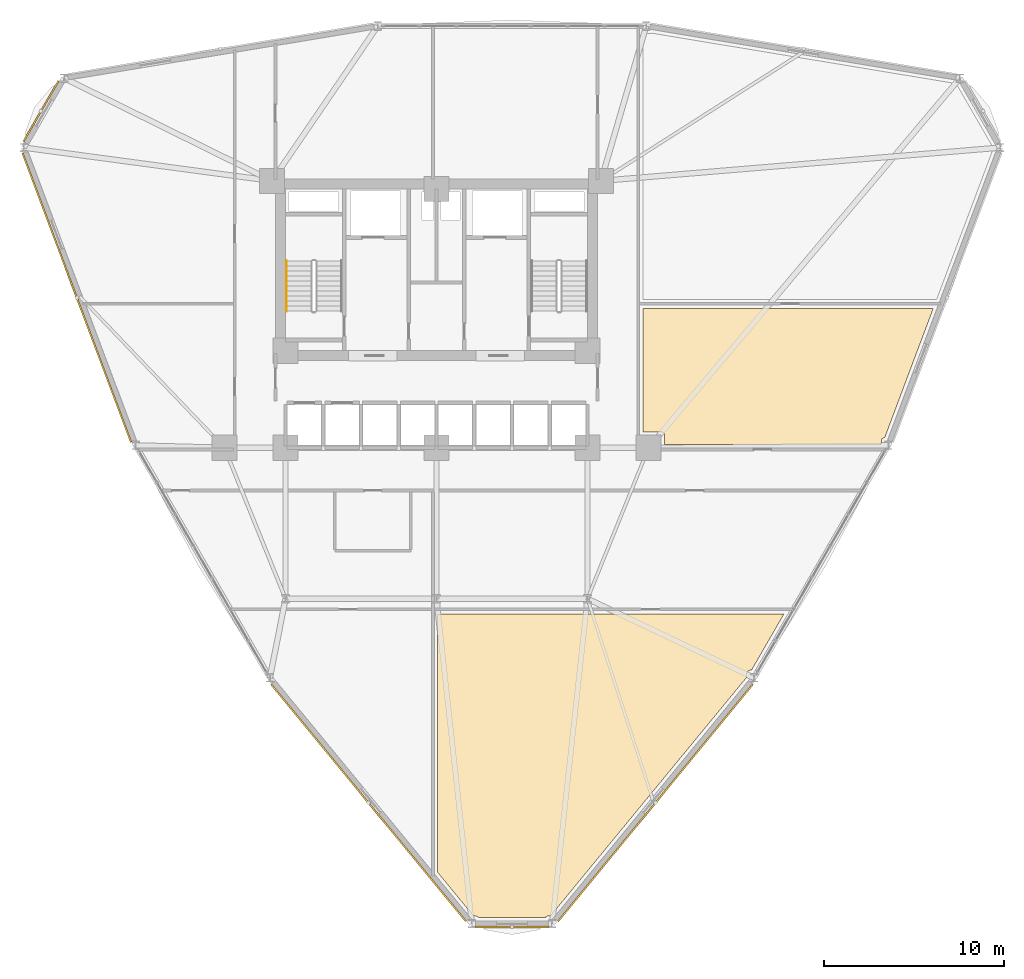
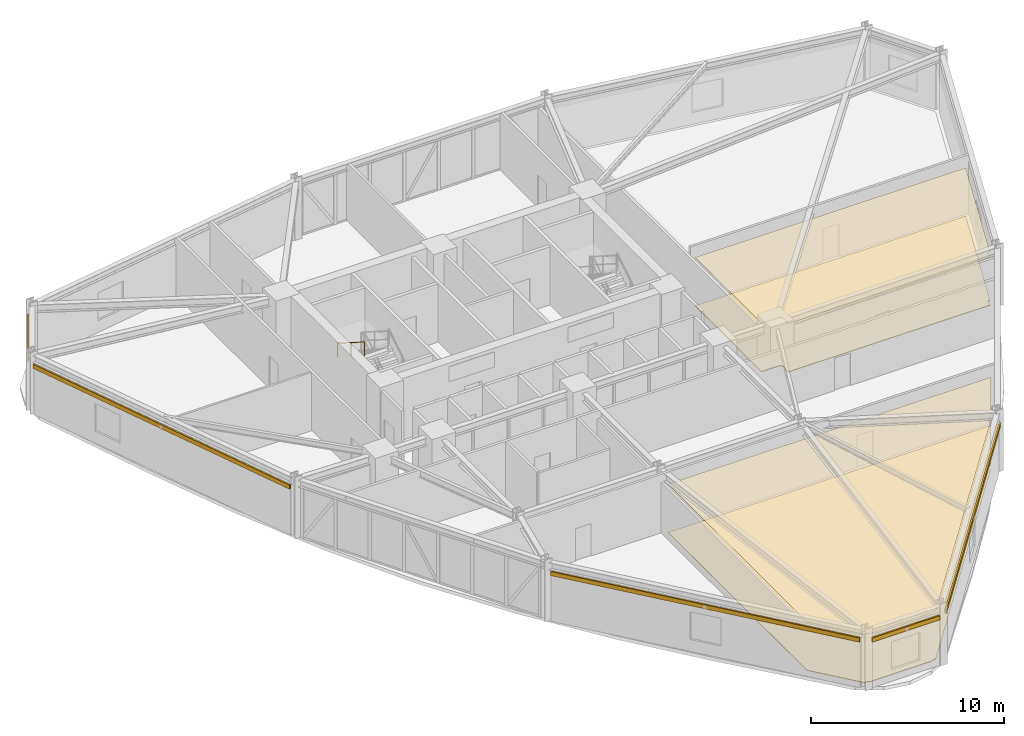
# One storey, part 18 of 20: 5 shading devices, 4 coverings, 1 railing.
"""IFC4 building model written with IfcOpenShell, lengths in metres."""

from ifc_helpers import new_model, si_unit, derived_unit, direction, frame, origin, origin_2d, place, context, subcontext, project, spatial, polyline, hollow_rectangle, circle, outline, extrude, source, transform, mapped, material, layer, layer_set, material_profile, profile_set, type_object, element, save


model = new_model("IFC4")

# Units and contexts
model_context = context("Model", 3, precision=1e-05, world=origin(), true_north=direction((0.0, 1.0)))
body_context = subcontext(model_context, "Body", "Model", "MODEL_VIEW")
ifc_project = project(units=[si_unit("LENGTHUNIT", "METRE"), si_unit("AREAUNIT", "SQUARE_METRE"), si_unit("VOLUMEUNIT", "CUBIC_METRE"), si_unit("PLANEANGLEUNIT", "RADIAN"), si_unit("MASSUNIT", "GRAM", prefix="KILO"), derived_unit("THERMALTRANSMITTANCEUNIT", [(si_unit("POWERUNIT", "WATT"), 1), (si_unit("LENGTHUNIT", "METRE"), -2), (si_unit("THERMODYNAMICTEMPERATUREUNIT", "KELVIN"), -1)])], contexts=[model_context])

# Site, building, storey
site_placement = place(None, origin())
site = spatial("IfcSite", under=ifc_project, at=site_placement, CompositionType="ELEMENT")
building_placement = place(site_placement, origin())
building = spatial("IfcBuilding", under=site, at=building_placement, Name="Korsvarv Bourse and Concert Hall", CompositionType="ELEMENT")
storey_placement = place(building_placement, frame((0.0, 0.0, 79.5)))
storey = spatial("IfcBuildingStorey", under=building, at=storey_placement, Name="L19", CompositionType="ELEMENT", Elevation=79.5)

# Coverings
ifc_material_1 = material(Name="Perforated mineral-wool and birch acoustic baffle ceiling", Category="wood")
ifc_layer_1 = layer(ifc_material_1, 0.02490234375)
ifc_layer_set_1 = layer_set([ifc_layer_1], Name="Perforated mineral-wool and birch acoustic baffle ceiling")
covering_type_1 = type_object("IfcCoveringType", Name="COV-CEIL-1", PredefinedType="CEILING", material=ifc_layer_set_1)
covering_1_placement = place(storey_placement, frame((0.0, 0.0, 3.06005859375)))
element("IfcCovering", 1, at=covering_1_placement, inside=storey, type_object=covering_type_1, Name="L19 acoustic baffle ceiling 2", PredefinedType="CEILING", context=body_context, shape_type="SweptSolid", body=[
    extrude(outline(polyline([(55.32958984375, 23.14990234375), (53.525634765625, 20.025146484375), (53.459716796875, 20.025146484375), (53.42529296875, 20.021728515625), (53.392333984375, 20.011962890625), (53.36181640625, 19.99609375), (53.334716796875, 19.974853515625), (53.312255859375, 19.948486328125), (53.29541015625, 19.918701171875), (53.2841796875, 19.885986328125), (53.27978515625, 19.851806640625), (53.27197265625, 19.6474609375), (42.344970703125, 6.352783203125), (42.22216796875, 6.352783203125), (42.1875, 6.349365234375), (42.154052734375, 6.33935546875), (42.123291015625, 6.322998046875), (42.095947265625, 6.30126953125), (42.073486328125, 6.2744140625), (38.335205078125, 6.265869140625), (38.318115234375, 6.287109375), (38.2919921875, 6.3095703125), (38.262451171875, 6.32666015625), (38.22998046875, 6.337890625), (38.196044921875, 6.342529296875), (38.05810546875, 6.348876953125), (36.050048828125, 8.792236328125), (36.050048828125, 23.14990234375), (55.32958984375, 23.14990234375)])), origin(), (0.0, 0.0, 1.0), 0.02490234375),
])
covering_2_placement = place(storey_placement, frame((0.0, 0.0, 3.06005859375)))
element("IfcCovering", 2, at=covering_2_placement, inside=storey, type_object=covering_type_1, Name="L19 acoustic baffle ceiling 3", PredefinedType="CEILING", context=body_context, shape_type="SweptSolid", body=[
    extrude(outline(polyline([(48.68994140625, 32.570068359375), (48.68994140625, 33.10009765625), (48.6865234375, 33.135009765625), (48.676513671875, 33.16845703125), (48.659912109375, 33.199462890625), (48.6376953125, 33.226806640625), (48.61083984375, 33.2490234375), (48.579833984375, 33.265869140625), (48.54638671875, 33.2763671875), (48.511474609375, 33.280029296875), (47.47998046875, 33.28857421875), (47.47998046875, 40.14990234375), (63.63720703125, 40.14990234375), (60.9375, 32.961181640625), (60.910888671875, 32.96044921875), (60.877197265625, 32.953857421875), (60.844970703125, 32.94091796875), (60.816162109375, 32.921875), (60.791259765625, 32.89794921875), (60.771484375, 32.869384765625), (60.757568359375, 32.837890625), (60.749755859375, 32.80419921875), (60.741455078125, 32.5693359375), (48.68994140625, 32.570068359375)])), origin(), (0.0, 0.0, 1.0), 0.02490234375),
])
ifc_material_2 = material(Name="Calcium-sulphate raised access trading floor with Nordic oak top", Category="wood")
ifc_layer_2 = layer(ifc_material_2, 0.0400390625)
ifc_layer_set_2 = layer_set([ifc_layer_2], Name="Calcium-sulphate raised access trading floor with Nordic oak top")
covering_type_2 = type_object("IfcCoveringType", Name="COV-FLOR-1", PredefinedType="FLOORING", material=ifc_layer_set_2)
covering_3_placement = place(storey_placement, origin())
element("IfcCovering", 3, at=covering_3_placement, inside=storey, type_object=covering_type_2, Name="L19 raised access oak floor finish 2", PredefinedType="FLOORING", context=body_context, shape_type="SweptSolid", body=[
    extrude(outline(polyline([(55.32958984375, 23.14990234375), (53.525634765625, 20.025146484375), (53.459716796875, 20.025146484375), (53.42529296875, 20.021728515625), (53.392333984375, 20.011962890625), (53.36181640625, 19.99609375), (53.334716796875, 19.974853515625), (53.312255859375, 19.948486328125), (53.29541015625, 19.918701171875), (53.2841796875, 19.885986328125), (53.27978515625, 19.851806640625), (53.27197265625, 19.6474609375), (42.344970703125, 6.352783203125), (42.22216796875, 6.352783203125), (42.1875, 6.349365234375), (42.154052734375, 6.33935546875), (42.123291015625, 6.322998046875), (42.095947265625, 6.30126953125), (42.073486328125, 6.2744140625), (38.335205078125, 6.265869140625), (38.318115234375, 6.287109375), (38.2919921875, 6.3095703125), (38.262451171875, 6.32666015625), (38.22998046875, 6.337890625), (38.196044921875, 6.342529296875), (38.05810546875, 6.348876953125), (36.050048828125, 8.792236328125), (36.050048828125, 23.14990234375), (55.32958984375, 23.14990234375)])), origin(), (0.0, 0.0, 1.0), 0.0400390625),
])
covering_4_placement = place(storey_placement, origin())
element("IfcCovering", 4, at=covering_4_placement, inside=storey, type_object=covering_type_2, Name="L19 raised access oak floor finish 3", PredefinedType="FLOORING", context=body_context, shape_type="SweptSolid", body=[
    extrude(outline(polyline([(48.68994140625, 32.570068359375), (48.68994140625, 33.10009765625), (48.6865234375, 33.135009765625), (48.676513671875, 33.16845703125), (48.659912109375, 33.199462890625), (48.6376953125, 33.226806640625), (48.61083984375, 33.2490234375), (48.579833984375, 33.265869140625), (48.54638671875, 33.2763671875), (48.511474609375, 33.280029296875), (47.47998046875, 33.28857421875), (47.47998046875, 40.14990234375), (63.63720703125, 40.14990234375), (60.9375, 32.961181640625), (60.910888671875, 32.96044921875), (60.877197265625, 32.953857421875), (60.844970703125, 32.94091796875), (60.816162109375, 32.921875), (60.791259765625, 32.89794921875), (60.771484375, 32.869384765625), (60.757568359375, 32.837890625), (60.749755859375, 32.80419921875), (60.741455078125, 32.5693359375), (48.68994140625, 32.570068359375)])), origin(), (0.0, 0.0, 1.0), 0.0400390625),
])

# Railing
ifc_material_3 = material(Name="Brushed stainless Steel S355 tubular handrail", Category="steel")
railing_type = type_object("IfcRailingType", Name="RL-ST-HND", PredefinedType="HANDRAIL", material=ifc_material_3)
railing_placement = place(storey_placement, frame((27.64990234375, 42.800048828125, 2.127197265625)))
element("IfcRailing", 5, at=railing_placement, inside=storey, type_object=railing_type, Name="L19 ST-T1 stair handrail 2", PredefinedType="HANDRAIL", context=body_context, shape_type="SweptSolid", body=[
    extrude(circle(Radius=0.02392578125, at=origin_2d()), frame((0.0, 0.0, 0.8759765625), z_axis=(0.0, -0.844908973607, 0.534910110503), x_axis=(1.0, 0.0, 0.0)), (0.0, 0.0, 1.0), 3.31396484375),
    extrude(circle(Radius=0.02099609375, at=origin_2d()), origin(), (0.0, 0.0, 1.0), 0.851806640625),
    extrude(circle(Radius=0.02099609375, at=origin_2d()), frame((0.0, -1.39990234375, 0.88623046875)), (0.0, 0.0, 1.0), 0.851806640625),
    extrude(circle(Radius=0.02099609375, at=origin_2d()), frame((0.0, -2.800048828125, 1.772705078125)), (0.0, 0.0, 1.0), 0.851806640625),
])

# Shading devices
ifc_material_4 = material(Name="Glazed extruded architectural terracotta", Category="ceramic")
ifc_material_profile = material_profile(ifc_material_4, hollow_rectangle(XDim=0.090087890625, YDim=0.260009765625, WallThickness=0.011962890625, at=origin_2d()), Name="TC-BAG 90x260")
ifc_profile_set = profile_set([ifc_material_profile], Name="Glazed extruded architectural terracotta")
shading_device_type = type_object("IfcShadingDeviceType", Name="SHD-BAG-1", PredefinedType="USERDEFINED", material=ifc_profile_set)
shared_shape_1 = source(origin(), body_context, "Body", "SweptSolid", [
    extrude(hollow_rectangle(XDim=0.090087890625, YDim=0.260009765625, WallThickness=0.011962890625, at=origin_2d()), origin(), (0.0, 0.0, 1.0), 3.90966796875),
])
shading_device_1_placement = place(storey_placement, frame((14.97216796875, 52.822509765625, 3.070068359375), z_axis=(-0.500014353419, -0.866017116675, 0.0), x_axis=(0.866017116675, -0.500014353419, 0.0)))
element("IfcShadingDevice", 6, at=shading_device_1_placement, inside=storey, type_object=shading_device_type, Name="L19 terracotta baguette sunshade EW-L19-B05", ObjectType="BAGUETTE", PredefinedType="USERDEFINED", context=body_context, shape_type="MappedRepresentation", body=[
    mapped(shared_shape_1, transform((0.0, 0.0, 0.0), scale=1.0)),
])
shared_shape_2 = source(origin(), body_context, "Body", "SweptSolid", [
    extrude(hollow_rectangle(XDim=0.090087890625, YDim=0.260009765625, WallThickness=0.011962890625, at=origin_2d()), origin(), (0.0, 0.0, 1.0), 17.1806640625),
])
shading_device_2_placement = place(storey_placement, frame((12.96484375, 48.798583984375, 3.070068359375), z_axis=(0.351559441404, -0.936165561832, 0.0), x_axis=(0.936165561832, 0.351559441404, 0.0)))
element("IfcShadingDevice", 7, at=shading_device_2_placement, inside=storey, type_object=shading_device_type, Name="L19 terracotta baguette sunshade EW-L19-B06", ObjectType="BAGUETTE", PredefinedType="USERDEFINED", context=body_context, shape_type="MappedRepresentation", body=[
    mapped(shared_shape_2, transform((0.0, 0.0, 0.0), scale=1.0)),
])
shared_shape_3 = source(origin(), body_context, "Body", "SweptSolid", [
    extrude(hollow_rectangle(XDim=0.090087890625, YDim=0.260009765625, WallThickness=0.011962890625, at=origin_2d()), origin(), (0.0, 0.0, 1.0), 17.0712890625),
])
for number, where, z_axis, x_axis, name in (
    (8, (26.7919921875, 19.2451171875, 3.070068359375), (0.634956540438, -0.772547857259, 0.0), (0.772547857259, 0.634956540438, 0.0), "L19 terracotta baguette sunshade EW-L19-B08"),
    (9, (42.768310546875, 6.056640625, 3.070068359375), (0.634956540438, 0.772547857259, 0.0), (-0.772547857259, 0.634956540438, 0.0), "L19 terracotta baguette sunshade EW-L19-B10"),
):
    element("IfcShadingDevice", number, at=place(storey_placement, frame(where, z_axis=z_axis, x_axis=x_axis)), inside=storey, type_object=shading_device_type, Name=name, ObjectType="BAGUETTE", PredefinedType="USERDEFINED", context=body_context, shape_type="MappedRepresentation", body=[
        mapped(shared_shape_3, transform((0.0, 0.0, 0.0), scale=1.0)),
    ])
shared_shape_4 = source(origin(), body_context, "Body", "SweptSolid", [
    extrude(hollow_rectangle(XDim=0.090087890625, YDim=0.260009765625, WallThickness=0.011962890625, at=origin_2d()), origin(), (0.0, 0.0, 1.0), 4.034423828125),
])
shading_device_3_placement = place(storey_placement, frame((38.182861328125, 5.74072265625, 3.070068359375), z_axis=(1.0, 0.0, 0.0), x_axis=(0.0, 1.0, 0.0)))
element("IfcShadingDevice", 10, at=shading_device_3_placement, inside=storey, type_object=shading_device_type, Name="L19 terracotta baguette sunshade EW-L19-B09", ObjectType="BAGUETTE", PredefinedType="USERDEFINED", context=body_context, shape_type="MappedRepresentation", body=[
    mapped(shared_shape_4, transform((0.0, 0.0, 0.0), scale=1.0)),
])

save(model, "model.ifc")
